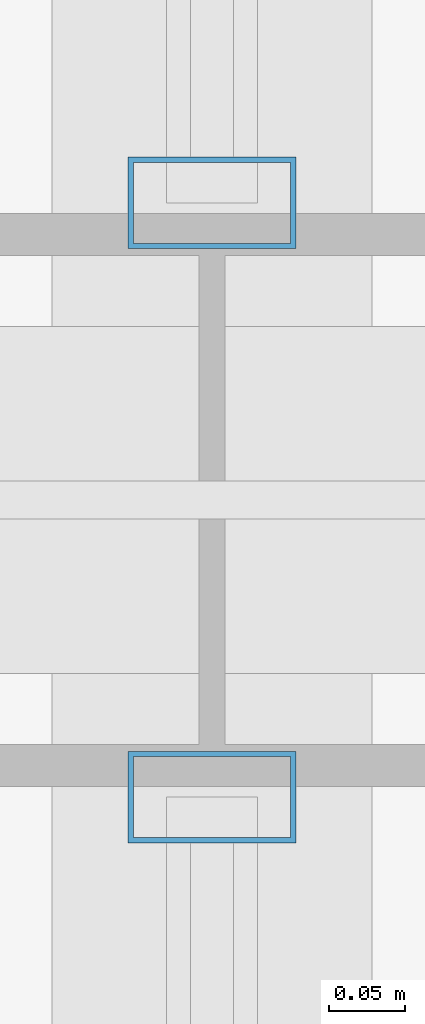
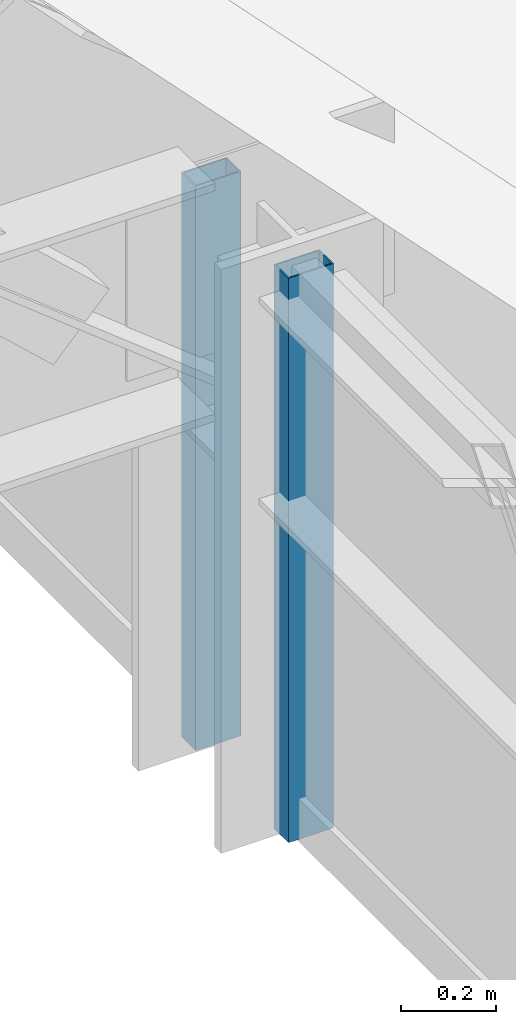
# One storey, part 22 of 44: 2 members, 2 elements without a shape of their own.
"""IFC4 building model written with IfcOpenShell, lengths in metres."""

from ifc_helpers import new_model, si_unit, direction, frame, origin, origin_2d, place, context, subcontext, project, spatial, hollow_rectangle, extrude, material, material_profile, profile_set, type_object, element, aggregate, save


model = new_model("IFC4")

# Units and contexts
model_context = context("Model", 3, precision=1e-05, world=origin(), true_north=direction((0.0, 1.0)))
body_context = subcontext(model_context, "Body", "Model", "MODEL_VIEW")
ifc_project = project(units=[si_unit("LENGTHUNIT", "METRE"), si_unit("AREAUNIT", "SQUARE_METRE"), si_unit("VOLUMEUNIT", "CUBIC_METRE"), si_unit("PLANEANGLEUNIT", "RADIAN"), si_unit("MASSUNIT", "GRAM", prefix="KILO")], contexts=[model_context])

# Site, building, storey
site_placement = place(None, origin())
site = spatial("IfcSite", under=ifc_project, at=site_placement, CompositionType="ELEMENT")
building_placement = place(site_placement, origin())
building = spatial("IfcBuilding", under=site, at=building_placement, Name="Cimatlan Art Gallery", CompositionType="ELEMENT")
storey_placement = place(building_placement, frame((0.0, 0.0, 26.39990234375)))
storey = spatial("IfcBuildingStorey", under=building, at=storey_placement, Name="Roof", CompositionType="ELEMENT", Elevation=26.39990234375)

# Curtain wall, member
ifc_material_1 = material(Name="Anodised bronze unitised curtain wall")
curtain_wall_type = type_object("IfcCurtainWallType", Name="CW-V-07010X01450-B3", PredefinedType="NOTDEFINED", material=ifc_material_1)
curtain_wall_1_placement = place(storey_placement, origin())
curtain_wall_1 = element("IfcCurtainWall", 1, at=curtain_wall_1_placement, inside=storey, type_object=curtain_wall_type, Name="CW-CRW-E-06", PredefinedType="NOTDEFINED")
ifc_material_2 = material(Name="Anodised bronze aluminium 6063-T6", Category="aluminium")
ifc_material_profile = material_profile(ifc_material_2, hollow_rectangle(XDim=0.06005859375, YDim=0.110107421875, WallThickness=0.00341796875, at=origin_2d()), Name="ALU60X110X3")
ifc_profile_set = profile_set([ifc_material_profile], Name="Anodised bronze aluminium 6063-T6")
member_type = type_object("IfcMemberType", Name="CW-MUL-110", PredefinedType="MULLION", material=ifc_profile_set)
member_1_placement = place(storey_placement, frame((99.199951171875, 53.304931640625, 0.0), z_axis=(0.0, 0.0, 1.0), x_axis=(0.0, 1.0, 0.0)))
member_1 = element("IfcMember", 2, at=member_1_placement, type_object=member_type, Name="CW-CRW-E-06-M1", PredefinedType="MULLION", context=body_context, shape_type="SweptSolid", body=[
    extrude(hollow_rectangle(XDim=0.06005859375, YDim=0.110107421875, WallThickness=0.00341796875, at=origin_2d()), origin(), (0.0, 0.0, 1.0), 1.4501953125),
])
aggregate(curtain_wall_1, [member_1])

curtain_wall_2_placement = place(storey_placement, origin())
curtain_wall_2 = element("IfcCurtainWall", 3, at=curtain_wall_2_placement, inside=storey, type_object=curtain_wall_type, Name="CW-CRW-E-07", PredefinedType="NOTDEFINED")
member_2_placement = place(storey_placement, frame((99.199951171875, 53.695068359375, 0.0), z_axis=(0.0, 0.0, 1.0), x_axis=(0.0, 1.0, 0.0)))
member_2 = element("IfcMember", 4, at=member_2_placement, type_object=member_type, Name="CW-CRW-E-07-M4", PredefinedType="MULLION", context=body_context, shape_type="SweptSolid", body=[
    extrude(hollow_rectangle(XDim=0.06005859375, YDim=0.110107421875, WallThickness=0.00341796875, at=origin_2d()), origin(), (0.0, 0.0, 1.0), 1.4501953125),
])
aggregate(curtain_wall_2, [member_2])

save(model, "model.ifc")
